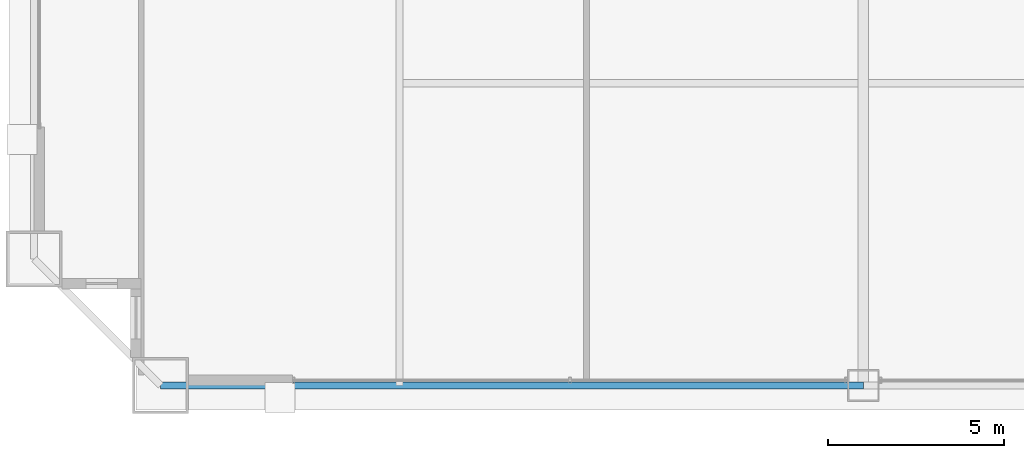
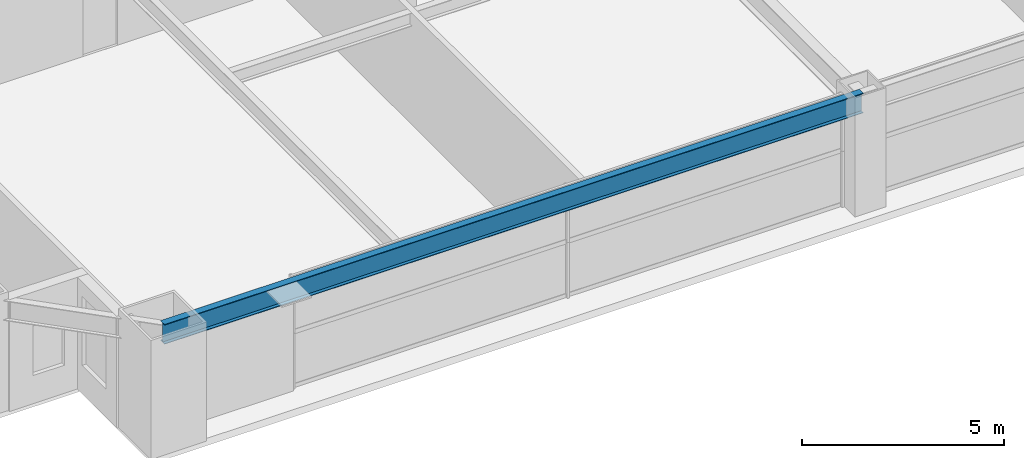
# One storey, part 4 of 37: 1 beam.
"""IFC4 building model written with IfcOpenShell, lengths in metres."""

from ifc_helpers import new_model, si_unit, direction, frame, origin, origin_2d, place, context, subcontext, project, spatial, i_section, extrude, source, transform, mapped, material, material_profile, profile_set, type_object, element, save


model = new_model("IFC4")

# Units and contexts
model_context = context("Model", 3, precision=1e-05, world=origin(), true_north=direction((0.0, 1.0)))
body_context = subcontext(model_context, "Body", "Model", "MODEL_VIEW")
ifc_project = project(units=[si_unit("LENGTHUNIT", "METRE"), si_unit("AREAUNIT", "SQUARE_METRE"), si_unit("VOLUMEUNIT", "CUBIC_METRE"), si_unit("PLANEANGLEUNIT", "RADIAN"), si_unit("MASSUNIT", "GRAM", prefix="KILO"), si_unit("THERMODYNAMICTEMPERATUREUNIT", "KELVIN"), si_unit("POWERUNIT", "WATT")], contexts=[model_context])

# Site, building, storey
site_placement = place(None, origin())
site = spatial("IfcSite", under=ifc_project, at=site_placement, CompositionType="ELEMENT")
building_placement = place(site_placement, origin())
building = spatial("IfcBuilding", under=site, at=building_placement, Name="Yuzanri Waterfront Tower", CompositionType="ELEMENT")
storey_placement = place(building_placement, frame((0.0, 0.0, 104.60009765625)))
storey = spatial("IfcBuildingStorey", under=building, at=storey_placement, Name="L27", CompositionType="ELEMENT", Elevation=104.60009765625)

# Beam
ifc_material = material(Name="Steel Q355B", Category="steel")
ifc_material_profile = material_profile(ifc_material, i_section(OverallWidth=0.199951171875, OverallDepth=0.60009765625, WebThickness=0.010986328125, FlangeThickness=0.01708984375, at=origin_2d()), Name="HN 600x200x11x17")
ifc_profile_set = profile_set([ifc_material_profile], Name="Steel Q355B")
beam_type = type_object("IfcBeamType", Name="Perimeter Spandrel Q355B HN 600x200", PredefinedType="SPANDREL", material=ifc_profile_set)
shared_shape = source(origin(), body_context, "Body", "SweptSolid", [
    extrude(i_section(OverallWidth=0.199951171875, OverallDepth=0.60009765625, WebThickness=0.010986328125, FlangeThickness=0.01708984375, at=origin_2d()), origin(), (0.0, 0.0, 1.0), 20.0),
])
beam_placement = place(storey_placement, frame((17.0, 2.199951171875, 3.079833984375), z_axis=(1.0, 0.0, 0.0), x_axis=(0.0, 1.0, 0.0)))
element("IfcBeam", 1, at=beam_placement, inside=storey, type_object=beam_type, Name="L27 Perimeter Spandrel S1-S2", PredefinedType="SPANDREL", context=body_context, shape_type="MappedRepresentation", body=[
    mapped(shared_shape, transform((0.0, 0.0, 0.0), scale=1.0)),
])

save(model, "model.ifc")
